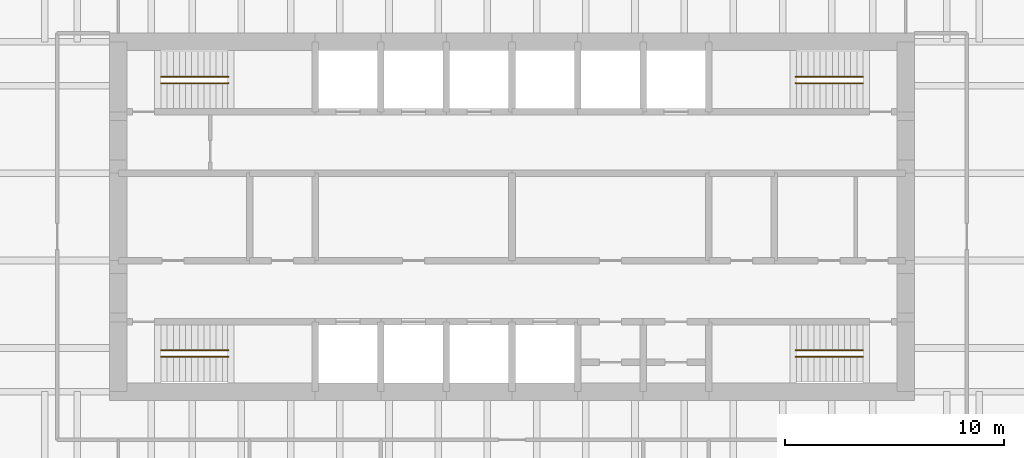
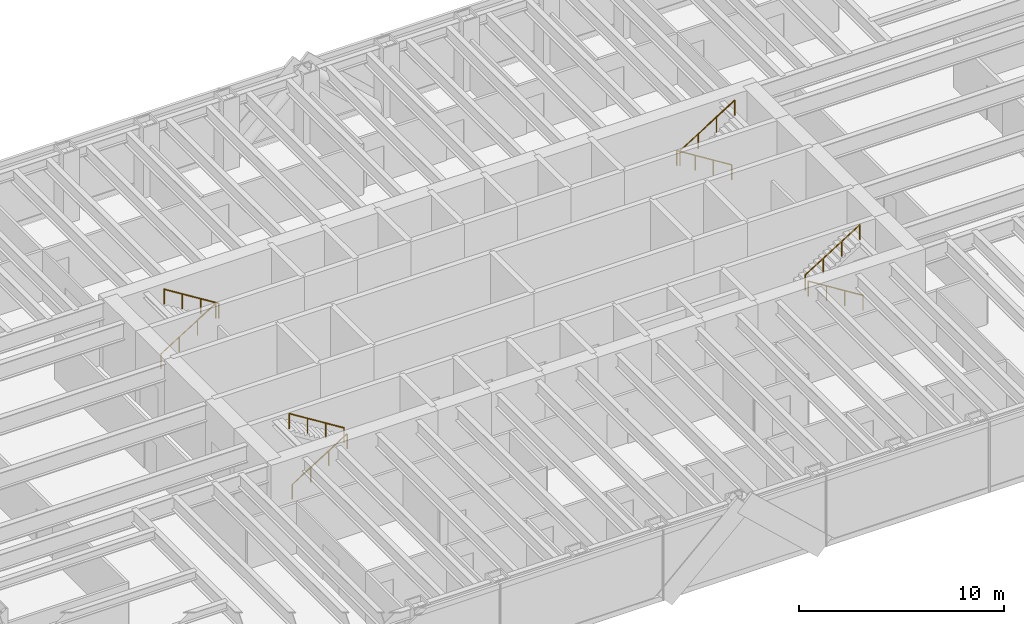
# One storey, part 14 of 14: 8 railings.
"""IFC4 building model written with IfcOpenShell, lengths in metres."""

from ifc_helpers import new_model, si_unit, direction, frame, origin, origin_2d, place, context, subcontext, project, spatial, circle, extrude, material, type_object, element, save


model = new_model("IFC4")

# Units and contexts
model_context = context("Model", 3, precision=1e-05, world=origin(), true_north=direction((0.0, 1.0)))
body_context = subcontext(model_context, "Body", "Model", "MODEL_VIEW")
ifc_project = project(units=[si_unit("LENGTHUNIT", "METRE"), si_unit("AREAUNIT", "SQUARE_METRE"), si_unit("VOLUMEUNIT", "CUBIC_METRE"), si_unit("PLANEANGLEUNIT", "RADIAN"), si_unit("MASSUNIT", "GRAM", prefix="KILO")], contexts=[model_context])

# Site, building, storey
site_placement = place(None, origin())
site = spatial("IfcSite", under=ifc_project, at=site_placement, CompositionType="ELEMENT")
building_placement = place(site_placement, origin())
building = spatial("IfcBuilding", under=site, at=building_placement, Name="Rheinbord Bourse Tower", CompositionType="ELEMENT")
storey_placement = place(building_placement, frame((0.0, 0.0, 211.0)))
storey = spatial("IfcBuildingStorey", under=building, at=storey_placement, Name="L47", CompositionType="ELEMENT", Elevation=211.0)

# Railings
ifc_material = material(Name="Steel handrail", Category="steel")
railing_type = type_object("IfcRailingType", Name="HANDRAIL 900", PredefinedType="HANDRAIL", material=ifc_material)
railing_1_placement = place(storey_placement, frame((19.949951171875, 17.60009765625, 0.175048828125)))
element("IfcRailing", 1, at=railing_1_placement, inside=storey, type_object=railing_type, Name="Handrail", PredefinedType="HANDRAIL", context=body_context, shape_type="SweptSolid", body=[
    extrude(circle(Radius=0.02392578125, at=origin_2d()), frame((0.0, 0.0, 0.8759765625), z_axis=(0.847998304005, 0.0, 0.529998940003), x_axis=(0.0, 1.0, 0.0)), (0.0, 0.0, 1.0), 3.632080078125),
    extrude(circle(Radius=0.02099609375, at=origin_2d()), origin(), (0.0, 0.0, 1.0), 0.851806640625),
    extrude(circle(Radius=0.02099609375, at=origin_2d()), frame((1.026611328125, 0.0, 0.6416015625)), (0.0, 0.0, 1.0), 0.851806640625),
    extrude(circle(Radius=0.02099609375, at=origin_2d()), frame((2.053466796875, 0.0, 1.283447265625)), (0.0, 0.0, 1.0), 0.851806640625),
    extrude(circle(Radius=0.02099609375, at=origin_2d()), frame((3.080078125, 0.0, 1.925048828125)), (0.0, 0.0, 1.0), 0.851806640625),
])
railing_2_placement = place(storey_placement, frame((23.030029296875, 17.89990234375, 2.27490234375)))
element("IfcRailing", 2, at=railing_2_placement, inside=storey, type_object=railing_type, Name="Handrail", PredefinedType="HANDRAIL", context=body_context, shape_type="SweptSolid", body=[
    extrude(circle(Radius=0.02392578125, at=origin_2d()), frame((0.0, 0.0, 0.8759765625), z_axis=(-0.847998304005, 0.0, 0.529998940003), x_axis=(0.0, -1.0, 0.0)), (0.0, 0.0, 1.0), 3.632080078125),
    extrude(circle(Radius=0.02099609375, at=origin_2d()), origin(), (0.0, 0.0, 1.0), 0.851806640625),
    extrude(circle(Radius=0.02099609375, at=origin_2d()), frame((-1.026611328125, 0.0, 0.6416015625)), (0.0, 0.0, 1.0), 0.851806640625),
    extrude(circle(Radius=0.02099609375, at=origin_2d()), frame((-2.053466796875, 0.0, 1.283447265625)), (0.0, 0.0, 1.0), 0.851806640625),
    extrude(circle(Radius=0.02099609375, at=origin_2d()), frame((-3.080078125, 0.0, 1.925048828125)), (0.0, 0.0, 1.0), 0.851806640625),
])
railing_3_placement = place(storey_placement, frame((19.949951171875, 30.39990234375, 0.175048828125)))
element("IfcRailing", 3, at=railing_3_placement, inside=storey, type_object=railing_type, Name="Handrail", PredefinedType="HANDRAIL", context=body_context, shape_type="SweptSolid", body=[
    extrude(circle(Radius=0.02392578125, at=origin_2d()), frame((0.0, 0.0, 0.8759765625), z_axis=(0.847998304005, 0.0, 0.529998940003), x_axis=(0.0, 1.0, 0.0)), (0.0, 0.0, 1.0), 3.632080078125),
    extrude(circle(Radius=0.02099609375, at=origin_2d()), origin(), (0.0, 0.0, 1.0), 0.851806640625),
    extrude(circle(Radius=0.02099609375, at=origin_2d()), frame((1.026611328125, 0.0, 0.6416015625)), (0.0, 0.0, 1.0), 0.851806640625),
    extrude(circle(Radius=0.02099609375, at=origin_2d()), frame((2.053466796875, 0.0, 1.283447265625)), (0.0, 0.0, 1.0), 0.851806640625),
    extrude(circle(Radius=0.02099609375, at=origin_2d()), frame((3.080078125, 0.0, 1.925048828125)), (0.0, 0.0, 1.0), 0.851806640625),
])
for number, where, name in (
    (4, (23.030029296875, 30.10009765625, 2.27490234375), "Handrail"),
    (5, (52.050048828125, 17.60009765625, 0.175048828125), "Handrail"),
):
    element("IfcRailing", number, at=place(storey_placement, frame(where)), inside=storey, type_object=railing_type, Name=name, PredefinedType="HANDRAIL", context=body_context, shape_type="SweptSolid", body=[
        extrude(circle(Radius=0.02392578125, at=origin_2d()), frame((0.0, 0.0, 0.8759765625), z_axis=(-0.847998304005, 0.0, 0.529998940003), x_axis=(0.0, -1.0, 0.0)), (0.0, 0.0, 1.0), 3.632080078125),
        extrude(circle(Radius=0.02099609375, at=origin_2d()), origin(), (0.0, 0.0, 1.0), 0.851806640625),
        extrude(circle(Radius=0.02099609375, at=origin_2d()), frame((-1.026611328125, 0.0, 0.6416015625)), (0.0, 0.0, 1.0), 0.851806640625),
        extrude(circle(Radius=0.02099609375, at=origin_2d()), frame((-2.053466796875, 0.0, 1.283447265625)), (0.0, 0.0, 1.0), 0.851806640625),
        extrude(circle(Radius=0.02099609375, at=origin_2d()), frame((-3.080078125, 0.0, 1.925048828125)), (0.0, 0.0, 1.0), 0.851806640625),
    ])
railing_4_placement = place(storey_placement, frame((48.969970703125, 17.89990234375, 2.27490234375)))
element("IfcRailing", 6, at=railing_4_placement, inside=storey, type_object=railing_type, Name="Handrail", PredefinedType="HANDRAIL", context=body_context, shape_type="SweptSolid", body=[
    extrude(circle(Radius=0.02392578125, at=origin_2d()), frame((0.0, 0.0, 0.8759765625), z_axis=(0.847998304005, 0.0, 0.529998940003), x_axis=(0.0, 1.0, 0.0)), (0.0, 0.0, 1.0), 3.632080078125),
    extrude(circle(Radius=0.02099609375, at=origin_2d()), origin(), (0.0, 0.0, 1.0), 0.851806640625),
    extrude(circle(Radius=0.02099609375, at=origin_2d()), frame((1.026611328125, 0.0, 0.6416015625)), (0.0, 0.0, 1.0), 0.851806640625),
    extrude(circle(Radius=0.02099609375, at=origin_2d()), frame((2.053466796875, 0.0, 1.283447265625)), (0.0, 0.0, 1.0), 0.851806640625),
    extrude(circle(Radius=0.02099609375, at=origin_2d()), frame((3.080078125, 0.0, 1.925048828125)), (0.0, 0.0, 1.0), 0.851806640625),
])
railing_5_placement = place(storey_placement, frame((52.050048828125, 30.39990234375, 0.175048828125)))
element("IfcRailing", 7, at=railing_5_placement, inside=storey, type_object=railing_type, Name="Handrail", PredefinedType="HANDRAIL", context=body_context, shape_type="SweptSolid", body=[
    extrude(circle(Radius=0.02392578125, at=origin_2d()), frame((0.0, 0.0, 0.8759765625), z_axis=(-0.847998304005, 0.0, 0.529998940003), x_axis=(0.0, -1.0, 0.0)), (0.0, 0.0, 1.0), 3.632080078125),
    extrude(circle(Radius=0.02099609375, at=origin_2d()), origin(), (0.0, 0.0, 1.0), 0.851806640625),
    extrude(circle(Radius=0.02099609375, at=origin_2d()), frame((-1.026611328125, 0.0, 0.6416015625)), (0.0, 0.0, 1.0), 0.851806640625),
    extrude(circle(Radius=0.02099609375, at=origin_2d()), frame((-2.053466796875, 0.0, 1.283447265625)), (0.0, 0.0, 1.0), 0.851806640625),
    extrude(circle(Radius=0.02099609375, at=origin_2d()), frame((-3.080078125, 0.0, 1.925048828125)), (0.0, 0.0, 1.0), 0.851806640625),
])
railing_6_placement = place(storey_placement, frame((48.969970703125, 30.10009765625, 2.27490234375)))
element("IfcRailing", 8, at=railing_6_placement, inside=storey, type_object=railing_type, Name="Handrail", PredefinedType="HANDRAIL", context=body_context, shape_type="SweptSolid", body=[
    extrude(circle(Radius=0.02392578125, at=origin_2d()), frame((0.0, 0.0, 0.8759765625), z_axis=(0.847998304005, 0.0, 0.529998940003), x_axis=(0.0, 1.0, 0.0)), (0.0, 0.0, 1.0), 3.632080078125),
    extrude(circle(Radius=0.02099609375, at=origin_2d()), origin(), (0.0, 0.0, 1.0), 0.851806640625),
    extrude(circle(Radius=0.02099609375, at=origin_2d()), frame((1.026611328125, 0.0, 0.6416015625)), (0.0, 0.0, 1.0), 0.851806640625),
    extrude(circle(Radius=0.02099609375, at=origin_2d()), frame((2.053466796875, 0.0, 1.283447265625)), (0.0, 0.0, 1.0), 0.851806640625),
    extrude(circle(Radius=0.02099609375, at=origin_2d()), frame((3.080078125, 0.0, 1.925048828125)), (0.0, 0.0, 1.0), 0.851806640625),
])

save(model, "model.ifc")
